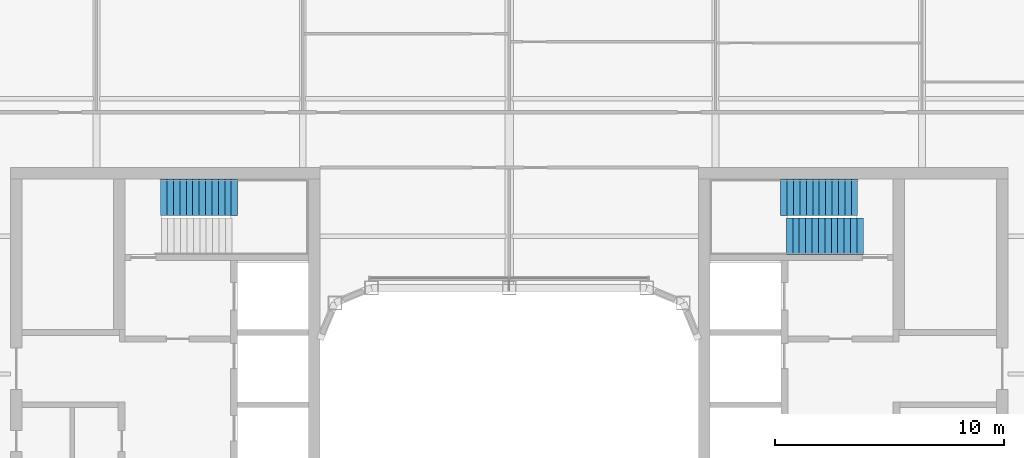
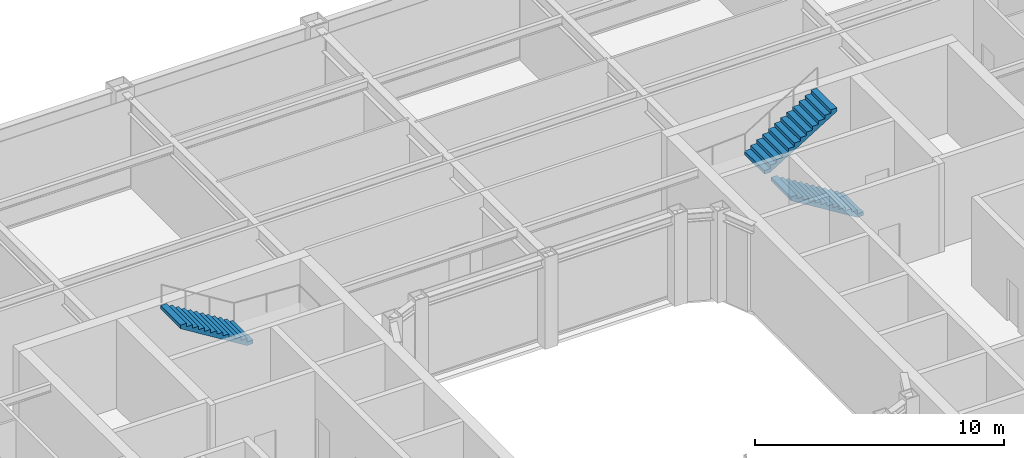
# One storey, part 17 of 24: 3 stair flights, 2 elements without a shape of their own.
"""IFC4 building model written with IfcOpenShell, lengths in metres."""

from ifc_helpers import new_model, si_unit, direction, frame, origin, place, context, subcontext, project, spatial, polyline, outline, extrude, material, type_object, element, aggregate, save


model = new_model("IFC4")

# Units and contexts
model_context = context("Model", 3, precision=1e-05, world=origin(), true_north=direction((0.0, 1.0)))
body_context = subcontext(model_context, "Body", "Model", "MODEL_VIEW")
ifc_project = project(units=[si_unit("LENGTHUNIT", "METRE"), si_unit("AREAUNIT", "SQUARE_METRE"), si_unit("VOLUMEUNIT", "CUBIC_METRE"), si_unit("PLANEANGLEUNIT", "RADIAN"), si_unit("MASSUNIT", "GRAM", prefix="KILO")], contexts=[model_context])

# Site, building, storey
site_placement = place(None, origin())
site = spatial("IfcSite", under=ifc_project, at=site_placement, CompositionType="ELEMENT")
building_placement = place(site_placement, origin())
building = spatial("IfcBuilding", under=site, at=building_placement, Name="Siwar Civic Tower", CompositionType="ELEMENT")
storey_placement = place(building_placement, frame((0.0, 0.0, 215.199951171875)))
storey = spatial("IfcBuildingStorey", under=building, at=storey_placement, Name="L46", CompositionType="ELEMENT", Elevation=215.199951171875)

# Stair, stair flight
ifc_material_1 = material(Name="Concrete C40/50", Category="concrete")
stair_type = type_object("IfcStairType", Name="CORE-STAIR", PredefinedType="TWO_STRAIGHT_RUN_STAIR", material=ifc_material_1)
stair_1_placement = place(storey_placement, origin())
stair_1 = element("IfcStair", 1, at=stair_1_placement, inside=storey, type_object=stair_type, Name="Exit stair ST1", PredefinedType="TWO_STRAIGHT_RUN_STAIR")
ifc_material_2 = material(Name="Concrete C40/50", Category="concrete")
stair_flight_type = type_object("IfcStairFlightType", Name="CORE-STAIR-FLIGHT", PredefinedType="STRAIGHT", material=ifc_material_2)
stair_flight_1_placement = place(storey_placement, frame((-11.840087890625, 12.199951171875, 2.25), z_axis=(0.0, 0.0, 1.0), x_axis=(-1.0, 0.0, 0.0)))
stair_flight_1 = element("IfcStairFlight", 2, at=stair_flight_1_placement, type_object=stair_flight_type, Name="ST1 flight 2", NumberOfRisers=13, NumberOfTreads=12, PredefinedType="STRAIGHT", RiserHeight=0.173076923, TreadLength=0.28, context=body_context, shape_type="SweptSolid", body=[
    extrude(outline(polyline([(0.0, 0.0), (0.0, 0.173095703125), (0.280029296875, 0.173095703125), (0.280029296875, 0.34619140625), (0.56005859375, 0.34619140625), (0.56005859375, 0.519287109375), (0.840087890625, 0.519287109375), (0.840087890625, 0.6923828125), (1.1201171875, 0.6923828125), (1.1201171875, 0.865478515625), (1.39990234375, 0.865478515625), (1.39990234375, 1.03857421875), (1.679931640625, 1.03857421875), (1.679931640625, 1.21142578125), (1.9599609375, 1.21142578125), (1.9599609375, 1.384521484375), (2.239990234375, 1.384521484375), (2.239990234375, 1.5576171875), (2.52001953125, 1.5576171875), (2.52001953125, 1.730712890625), (2.800048828125, 1.730712890625), (2.800048828125, 1.90380859375), (3.080078125, 1.90380859375), (3.080078125, 2.076904296875), (3.360107421875, 2.076904296875), (3.360107421875, 2.25), (3.360107421875, 1.900634765625), (0.28515625, 0.0), (0.0, 0.0)])), frame((0.0, 0.800048828125, 0.0), z_axis=(0.0, -1.0, 0.0), x_axis=(1.0, 0.0, 0.0)), (0.0, 0.0, 1.0), 1.60009765625),
])
aggregate(stair_1, [stair_flight_1])

# Stair, stair flights
stair_2_placement = place(storey_placement, origin())
stair_2 = element("IfcStair", 3, at=stair_2_placement, inside=storey, type_object=stair_type, Name="Exit stair ST3", PredefinedType="TWO_STRAIGHT_RUN_STAIR")
stair_flight_2_placement = place(storey_placement, frame((15.449951171875, 10.5, 0.0), z_axis=(0.0, 0.0, 1.0), x_axis=(-1.0, 0.0, 0.0)))
stair_flight_2 = element("IfcStairFlight", 4, at=stair_flight_2_placement, type_object=stair_flight_type, Name="ST3 flight 1", NumberOfRisers=13, NumberOfTreads=12, PredefinedType="STRAIGHT", RiserHeight=0.173076923, TreadLength=0.28, context=body_context, shape_type="SweptSolid", body=[
    extrude(outline(polyline([(0.0, 0.0), (0.0, 0.173095703125), (0.280029296875, 0.173095703125), (0.280029296875, 0.34619140625), (0.56005859375, 0.34619140625), (0.56005859375, 0.519287109375), (0.840087890625, 0.519287109375), (0.840087890625, 0.6923828125), (1.1201171875, 0.6923828125), (1.1201171875, 0.865478515625), (1.39990234375, 0.865478515625), (1.39990234375, 1.03857421875), (1.679931640625, 1.03857421875), (1.679931640625, 1.21142578125), (1.9599609375, 1.21142578125), (1.9599609375, 1.384521484375), (2.239990234375, 1.384521484375), (2.239990234375, 1.5576171875), (2.52001953125, 1.5576171875), (2.52001953125, 1.730712890625), (2.800048828125, 1.730712890625), (2.800048828125, 1.90380859375), (3.080078125, 1.90380859375), (3.080078125, 2.076904296875), (3.360107421875, 2.076904296875), (3.360107421875, 2.25), (3.360107421875, 1.900634765625), (0.28515625, 0.0), (0.0, 0.0)])), frame((0.0, 0.800048828125, 0.0), z_axis=(0.0, -1.0, 0.0), x_axis=(1.0, 0.0, 0.0)), (0.0, 0.0, 1.0), 1.60009765625),
])
stair_flight_3_placement = place(storey_placement, frame((11.840087890625, 12.199951171875, 2.25), z_axis=(0.0, 0.0, 1.0), x_axis=(1.0, 0.0, 0.0)))
stair_flight_3 = element("IfcStairFlight", 5, at=stair_flight_3_placement, type_object=stair_flight_type, Name="ST3 flight 2", NumberOfRisers=13, NumberOfTreads=12, PredefinedType="STRAIGHT", RiserHeight=0.173076923, TreadLength=0.28, context=body_context, shape_type="SweptSolid", body=[
    extrude(outline(polyline([(0.0, 0.0), (0.0, 0.173095703125), (0.280029296875, 0.173095703125), (0.280029296875, 0.34619140625), (0.56005859375, 0.34619140625), (0.56005859375, 0.519287109375), (0.840087890625, 0.519287109375), (0.840087890625, 0.6923828125), (1.1201171875, 0.6923828125), (1.1201171875, 0.865478515625), (1.39990234375, 0.865478515625), (1.39990234375, 1.03857421875), (1.679931640625, 1.03857421875), (1.679931640625, 1.21142578125), (1.9599609375, 1.21142578125), (1.9599609375, 1.384521484375), (2.239990234375, 1.384521484375), (2.239990234375, 1.5576171875), (2.52001953125, 1.5576171875), (2.52001953125, 1.730712890625), (2.800048828125, 1.730712890625), (2.800048828125, 1.90380859375), (3.080078125, 1.90380859375), (3.080078125, 2.076904296875), (3.360107421875, 2.076904296875), (3.360107421875, 2.25), (3.360107421875, 1.900634765625), (0.28515625, 0.0), (0.0, 0.0)])), frame((0.0, 0.800048828125, 0.0), z_axis=(0.0, -1.0, 0.0), x_axis=(1.0, 0.0, 0.0)), (0.0, 0.0, 1.0), 1.60009765625),
])
aggregate(stair_2, [stair_flight_2, stair_flight_3])

save(model, "model.ifc")
